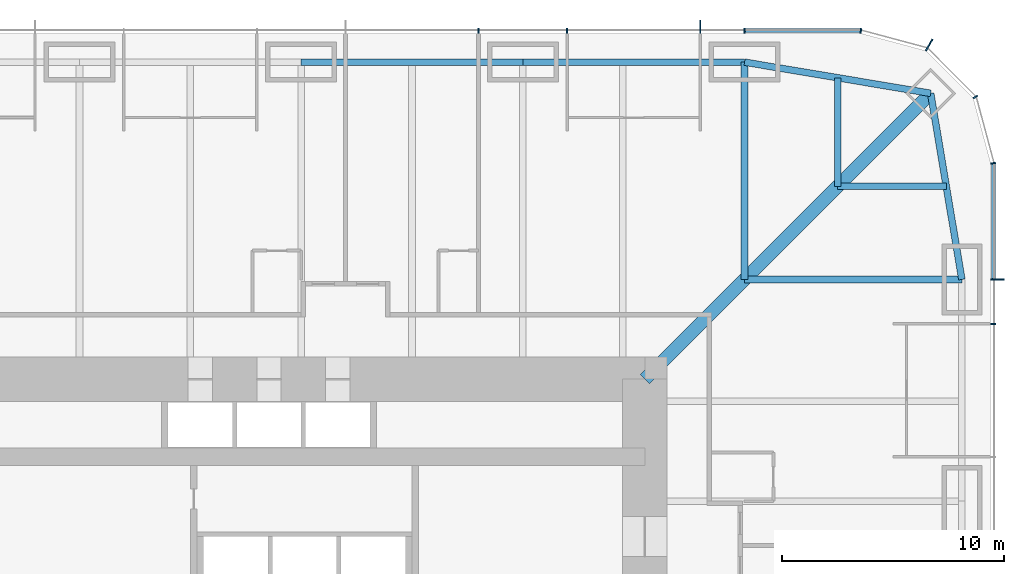
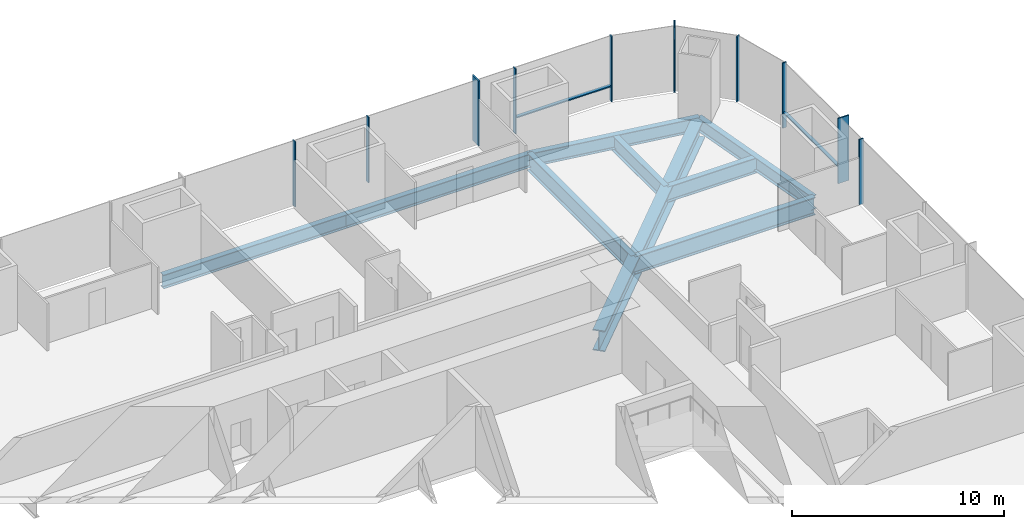
# One storey, part 9 of 16: 12 members, 9 beams, 3 elements without a shape of their own.
"""IFC4 building model written with IfcOpenShell, lengths in metres."""

from ifc_helpers import new_model, si_unit, direction, frame, origin, origin_2d, place, context, subcontext, project, spatial, rectangle, i_section, extrude, material, material_profile, profile_set, type_object, element, aggregate, save


model = new_model("IFC4")

# Units and contexts
model_context = context("Model", 3, precision=1e-05, world=origin(), true_north=direction((0.0, 1.0)))
body_context = subcontext(model_context, "Body", "Model", "MODEL_VIEW")
ifc_project = project(units=[si_unit("LENGTHUNIT", "METRE"), si_unit("AREAUNIT", "SQUARE_METRE"), si_unit("VOLUMEUNIT", "CUBIC_METRE"), si_unit("PLANEANGLEUNIT", "RADIAN"), si_unit("MASSUNIT", "GRAM", prefix="KILO")], contexts=[model_context])

# Site, building, storey
site_placement = place(None, origin())
site = spatial("IfcSite", under=ifc_project, at=site_placement, CompositionType="ELEMENT")
building_placement = place(site_placement, origin())
building = spatial("IfcBuilding", under=site, at=building_placement, Name="Khuree Lantern Residences", CompositionType="ELEMENT")
storey_placement = place(building_placement, frame((0.0, 0.0, 81.0)))
storey = spatial("IfcBuildingStorey", under=building, at=storey_placement, Name="L20", CompositionType="ELEMENT", Elevation=81.0)

# Beams
ifc_material_1 = material(Name="Steel S355", Category="steel")
ifc_material_profile_1 = material_profile(ifc_material_1, i_section(OverallWidth=0.300048828125, OverallDepth=0.889892578125, WebThickness=0.01611328125, FlangeThickness=0.030029296875, FilletRadius=0.030029296875, at=origin_2d()), Name="HE 900 A")
ifc_profile_set_1 = profile_set([ifc_material_profile_1], Name="Steel S355")
beam_type_1 = type_object("IfcBeamType", Name="B-14 SECONDARY BEAM HE 900 A", PredefinedType="BEAM", material=ifc_profile_set_1)
for number, where, z_axis, x_axis, name in (
    (1, (24.197021484375, 29.09716796875, -0.695068359375), (0.0, -1.0, 0.0), (1.0, 0.0, 0.0), "Secondary beam N5"),
    (2, (29.09716796875, 24.197021484375, -0.695068359375), (-1.0, 0.0, 0.0), (0.0, -1.0, 0.0), "Secondary beam E1"),
):
    element("IfcBeam", number, at=place(storey_placement, frame(where, z_axis=z_axis, x_axis=x_axis)), inside=storey, type_object=beam_type_1, Name=name, PredefinedType="BEAM", context=body_context, shape_type="SweptSolid", body=[
        extrude(i_section(OverallWidth=0.300048828125, OverallDepth=0.889892578125, WebThickness=0.01611328125, FlangeThickness=0.030029296875, FilletRadius=0.030029296875, at=origin_2d()), origin(), (0.0, 0.0, 1.0), 4.900146484375),
    ])
ifc_material_profile_2 = material_profile(ifc_material_1, i_section(OverallWidth=0.300048828125, OverallDepth=0.7900390625, WebThickness=0.014892578125, FlangeThickness=0.028076171875, FilletRadius=0.030029296875, at=origin_2d()), Name="HE 800 A")
ifc_profile_set_2 = profile_set([ifc_material_profile_2], Name="Steel S355")
beam_type_2 = type_object("IfcBeamType", Name="E-14 SPANDREL BEAM HE 800 A", PredefinedType="SPANDREL", material=ifc_profile_set_2)
for number, where, z_axis, x_axis, name in (
    (3, (0.0, 29.800048828125, -0.64501953125), (1.0, 0.0, 0.0), (0.0, 1.0, 0.0), "Spandrel beam N3"),
    (4, (10.0, 29.800048828125, -0.64501953125), (1.0, 0.0, 0.0), (0.0, 1.0, 0.0), "Spandrel beam N4"),
):
    element("IfcBeam", number, at=place(storey_placement, frame(where, z_axis=z_axis, x_axis=x_axis)), inside=storey, type_object=beam_type_2, Name=name, PredefinedType="SPANDREL", context=body_context, shape_type="SweptSolid", body=[
        extrude(i_section(OverallWidth=0.300048828125, OverallDepth=0.7900390625, WebThickness=0.014892578125, FlangeThickness=0.028076171875, FilletRadius=0.030029296875, at=origin_2d()), origin(), (0.0, 0.0, 1.0), 10.0),
    ])
for number, where, z_axis, x_axis, name in (
    (5, (20.0, 29.800048828125, -0.64501953125), (0.986260251158, -0.165199022349, 0.0), (0.165199022349, 0.986260251158, 0.0), "Spandrel beam N5"),
    (6, (28.39404296875, 28.39404296875, -0.64501953125), (0.165199022349, -0.986260251158, 0.0), (0.986260251158, 0.165199022349, 0.0), "Spandrel beam E1"),
):
    element("IfcBeam", number, at=place(storey_placement, frame(where, z_axis=z_axis, x_axis=x_axis)), inside=storey, type_object=beam_type_2, Name=name, PredefinedType="SPANDREL", context=body_context, shape_type="SweptSolid", body=[
        extrude(i_section(OverallWidth=0.300048828125, OverallDepth=0.7900390625, WebThickness=0.014892578125, FlangeThickness=0.028076171875, FilletRadius=0.030029296875, at=origin_2d()), origin(), (0.0, 0.0, 1.0), 8.510986328125),
    ])

# Curtain wall, member
ifc_material_2 = material(Name="Bronze anodised aluminium", Category="aluminium")
curtain_wall_type_1 = type_object("IfcCurtainWallType", Name="CW-T1 TOWER FACE CURTAIN WALL", PredefinedType="USERDEFINED", material=ifc_material_2)
curtain_wall_1_placement = place(storey_placement, origin())
curtain_wall_1 = element("IfcCurtainWall", 7, at=curtain_wall_1_placement, inside=storey, type_object=curtain_wall_type_1, Name="L20 EAST FACE CURTAIN WALL", ObjectType="Stick-built curtain wall", PredefinedType="USERDEFINED")
ifc_material_profile_3 = material_profile(ifc_material_2, rectangle(XDim=0.06494140625, YDim=0.60009765625, at=origin_2d()), Name="F1 65X600")
ifc_profile_set_3 = profile_set([ifc_material_profile_3], Name="Bronze anodised aluminium")
member_type_1 = type_object("IfcMemberType", Name="F1 BRONZE FIN MULLION TOWER 65X600", PredefinedType="MULLION", material=ifc_profile_set_3)
member_1_placement = place(storey_placement, frame((31.39990234375, 20.0, 0.0), z_axis=(0.0, 0.0, 1.0), x_axis=(0.0, 1.0, 0.0)))
member_1 = element("IfcMember", 8, at=member_1_placement, type_object=member_type_1, Name="L20 EAST FACE FIN MULLION 14", PredefinedType="MULLION", context=body_context, shape_type="SweptSolid", body=[
    extrude(rectangle(XDim=0.06494140625, YDim=0.60009765625, at=origin_2d()), origin(), (0.0, 0.0, 1.0), 3.75),
])

curtain_wall_type_2 = type_object("IfcCurtainWallType", Name="CW-T2 TOWER CORNER CURTAIN WALL", PredefinedType="USERDEFINED", material=ifc_material_2)
curtain_wall_2_placement = place(storey_placement, origin())
curtain_wall_2 = element("IfcCurtainWall", 9, at=curtain_wall_2_placement, inside=storey, type_object=curtain_wall_type_2, Name="L20 NORTH-EAST CORNER CURTAIN WALL", ObjectType="Faceted corner curtain wall", PredefinedType="USERDEFINED")
member_2_placement = place(storey_placement, frame((28.324951171875, 30.576171875, 0.0), z_axis=(0.0, 0.0, 1.0), x_axis=(-0.86602537092, 0.500000056923, 0.0)))
member_2 = element("IfcMember", 10, at=member_2_placement, type_object=member_type_1, Name="L20 NORTH-EAST CORNER FIN MULLION 17", PredefinedType="MULLION", context=body_context, shape_type="SweptSolid", body=[
    extrude(rectangle(XDim=0.06494140625, YDim=0.60009765625, at=origin_2d()), origin(), (0.0, 0.0, 1.0), 3.75),
])

curtain_wall_3_placement = place(storey_placement, origin())
curtain_wall_3 = element("IfcCurtainWall", 11, at=curtain_wall_3_placement, inside=storey, type_object=curtain_wall_type_1, Name="L20 NORTH FACE CURTAIN WALL", ObjectType="Stick-built curtain wall", PredefinedType="USERDEFINED")
member_3_placement = place(storey_placement, frame((18.0, 31.39990234375, 0.0), z_axis=(0.0, 0.0, 1.0), x_axis=(-1.0, 0.0, 0.0)))
member_3 = element("IfcMember", 12, at=member_3_placement, type_object=member_type_1, Name="L20 NORTH FACE FIN MULLION 20", PredefinedType="MULLION", context=body_context, shape_type="SweptSolid", body=[
    extrude(rectangle(XDim=0.06494140625, YDim=0.60009765625, at=origin_2d()), origin(), (0.0, 0.0, 1.0), 3.75),
])

# Beams
ifc_material_profile_4 = material_profile(ifc_material_1, i_section(OverallWidth=0.302001953125, OverallDepth=1.008056640625, WebThickness=0.02099609375, FlangeThickness=0.0400390625, FilletRadius=0.030029296875, at=origin_2d()), Name="HE 1000 M")
ifc_profile_set_4 = profile_set([ifc_material_profile_4], Name="Steel S355")
beam_type_3 = type_object("IfcBeamType", Name="G-14 GIRDER HE 1000 M", PredefinedType="BEAM", material=ifc_profile_set_4)
for number, where, z_axis, x_axis, name in (
    (13, (20.0, 29.800048828125, -0.75390625), (0.0, -1.0, 0.0), (1.0, 0.0, 0.0), "Girder N5"),
    (14, (29.800048828125, 20.0, -0.75390625), (-1.0, 0.0, 0.0), (0.0, -1.0, 0.0), "Girder E1"),
):
    element("IfcBeam", number, at=place(storey_placement, frame(where, z_axis=z_axis, x_axis=x_axis)), inside=storey, type_object=beam_type_3, Name=name, PredefinedType="BEAM", context=body_context, shape_type="SweptSolid", body=[
        extrude(i_section(OverallWidth=0.302001953125, OverallDepth=1.008056640625, WebThickness=0.02099609375, FlangeThickness=0.0400390625, FilletRadius=0.030029296875, at=origin_2d()), origin(), (0.0, 0.0, 1.0), 9.800048828125),
    ])
ifc_material_profile_5 = material_profile(ifc_material_1, i_section(OverallWidth=0.60009765625, OverallDepth=1.199951171875, WebThickness=0.030029296875, FlangeThickness=0.06005859375, at=origin_2d()), Name="WELDED I 1200X600X30X60")
ifc_profile_set_5 = profile_set([ifc_material_profile_5], Name="Steel S355")
beam_type_4 = type_object("IfcBeamType", Name="GD-14 CORNER GIRDER WELDED I 1200X600X30X60", PredefinedType="BEAM", material=ifc_profile_set_5)
beam_placement = place(storey_placement, frame((28.39404296875, 28.39404296875, -0.85009765625), z_axis=(-0.707106781187, -0.707106781187, 0.0), x_axis=(0.707106781187, -0.707106781187, 0.0)))
element("IfcBeam", 15, at=beam_placement, inside=storey, type_object=beam_type_4, Name="Corner girder NE", PredefinedType="BEAM", context=body_context, shape_type="SweptSolid", body=[
    extrude(i_section(OverallWidth=0.60009765625, OverallDepth=1.199951171875, WebThickness=0.030029296875, FlangeThickness=0.06005859375, at=origin_2d()), origin(), (0.0, 0.0, 1.0), 18.23486328125),
])

# Member
ifc_material_profile_6 = material_profile(ifc_material_2, rectangle(XDim=0.06494140625, YDim=0.219970703125, at=origin_2d()), Name="M1 65X220")
ifc_profile_set_6 = profile_set([ifc_material_profile_6], Name="Bronze anodised aluminium")
member_type_2 = type_object("IfcMemberType", Name="M1 BRONZE MULLION TOWER 65X220", PredefinedType="MULLION", material=ifc_profile_set_6)
member_4_placement = place(storey_placement, frame((31.2099609375, 18.0, 0.0), z_axis=(0.0, 0.0, 1.0), x_axis=(0.0, 1.0, 0.0)))
member_4 = element("IfcMember", 16, at=member_4_placement, type_object=member_type_2, Name="L20 EAST FACE MULLION 13", PredefinedType="MULLION", context=body_context, shape_type="SweptSolid", body=[
    extrude(rectangle(XDim=0.06494140625, YDim=0.219970703125, at=origin_2d()), origin(), (0.0, 0.0, 1.0), 3.75),
])

member_5_placement = place(storey_placement, frame((31.211669921875, 25.244873046875, 0.0), z_axis=(0.0, 0.0, 1.0), x_axis=(-0.130526257387, 0.991444852794, 0.0)))
member_5 = element("IfcMember", 17, at=member_5_placement, type_object=member_type_2, Name="L20 NORTH-EAST CORNER MULLION 15", PredefinedType="MULLION", context=body_context, shape_type="SweptSolid", body=[
    extrude(rectangle(XDim=0.06494140625, YDim=0.219970703125, at=origin_2d()), origin(), (0.0, 0.0, 1.0), 3.75),
])

member_6_placement = place(storey_placement, frame((30.41162109375, 28.22998046875, 0.0), z_axis=(0.0, 0.0, 1.0), x_axis=(-0.500000056923, 0.86602537092, 0.0)))
member_6 = element("IfcMember", 18, at=member_6_placement, type_object=member_type_2, Name="L20 NORTH-EAST CORNER MULLION 16", PredefinedType="MULLION", context=body_context, shape_type="SweptSolid", body=[
    extrude(rectangle(XDim=0.06494140625, YDim=0.219970703125, at=origin_2d()), origin(), (0.0, 0.0, 1.0), 3.75),
])

aggregate(curtain_wall_2, [member_5, member_6, member_2])

member_7_placement = place(storey_placement, frame((25.244873046875, 31.211669921875, 0.0), z_axis=(0.0, 0.0, 1.0), x_axis=(-0.991444852794, 0.130526257387, 0.0)))
member_7 = element("IfcMember", 19, at=member_7_placement, type_object=member_type_2, Name="L20 NORTH FACE MULLION 18", PredefinedType="MULLION", context=body_context, shape_type="SweptSolid", body=[
    extrude(rectangle(XDim=0.06494140625, YDim=0.219970703125, at=origin_2d()), origin(), (0.0, 0.0, 1.0), 3.75),
])

member_8_placement = place(storey_placement, frame((20.0, 31.2099609375, 0.0), z_axis=(0.0, 0.0, 1.0), x_axis=(-1.0, 0.0, 0.0)))
member_8 = element("IfcMember", 20, at=member_8_placement, type_object=member_type_2, Name="L20 NORTH FACE MULLION 19", PredefinedType="MULLION", context=body_context, shape_type="SweptSolid", body=[
    extrude(rectangle(XDim=0.06494140625, YDim=0.219970703125, at=origin_2d()), origin(), (0.0, 0.0, 1.0), 3.75),
])

member_9_placement = place(storey_placement, frame((12.0, 31.2099609375, 0.0), z_axis=(0.0, 0.0, 1.0), x_axis=(-1.0, 0.0, 0.0)))
member_9 = element("IfcMember", 21, at=member_9_placement, type_object=member_type_2, Name="L20 NORTH FACE MULLION 21", PredefinedType="MULLION", context=body_context, shape_type="SweptSolid", body=[
    extrude(rectangle(XDim=0.06494140625, YDim=0.219970703125, at=origin_2d()), origin(), (0.0, 0.0, 1.0), 3.75),
])

member_10_placement = place(storey_placement, frame((8.0, 31.2099609375, 0.0), z_axis=(0.0, 0.0, 1.0), x_axis=(-1.0, 0.0, 0.0)))
member_10 = element("IfcMember", 22, at=member_10_placement, type_object=member_type_2, Name="L20 NORTH FACE MULLION 22", PredefinedType="MULLION", context=body_context, shape_type="SweptSolid", body=[
    extrude(rectangle(XDim=0.06494140625, YDim=0.219970703125, at=origin_2d()), origin(), (0.0, 0.0, 1.0), 3.75),
])

ifc_material_profile_7 = material_profile(ifc_material_2, rectangle(XDim=0.179931640625, YDim=0.06494140625, at=origin_2d()), Name="T1 180X65")
ifc_profile_set_7 = profile_set([ifc_material_profile_7], Name="Bronze anodised aluminium")
member_type_3 = type_object("IfcMemberType", Name="TRANSOM T1 TOWER 180X65", PredefinedType="USERDEFINED", material=ifc_profile_set_7)
member_11_placement = place(storey_placement, frame((31.219970703125, 20.032470703125, 0.89990234375), z_axis=(0.0, 1.0, 0.0), x_axis=(-1.0, 0.0, 0.0)))
member_11 = element("IfcMember", 23, at=member_11_placement, type_object=member_type_3, Name="L20 EAST FACE TRANSOM 14.1", ObjectType="Transom", PredefinedType="USERDEFINED", context=body_context, shape_type="SweptSolid", body=[
    extrude(rectangle(XDim=0.179931640625, YDim=0.06494140625, at=origin_2d()), origin(), (0.0, 0.0, 1.0), 5.1689453125),
])

aggregate(curtain_wall_1, [member_4, member_1, member_11])

member_12_placement = place(storey_placement, frame((25.201416015625, 31.219970703125, 0.89990234375), z_axis=(-1.0, 0.0, 0.0), x_axis=(0.0, -1.0, 0.0)))
member_12 = element("IfcMember", 24, at=member_12_placement, type_object=member_type_3, Name="L20 NORTH FACE TRANSOM 18.1", ObjectType="Transom", PredefinedType="USERDEFINED", context=body_context, shape_type="SweptSolid", body=[
    extrude(rectangle(XDim=0.179931640625, YDim=0.06494140625, at=origin_2d()), origin(), (0.0, 0.0, 1.0), 5.1689453125),
])

aggregate(curtain_wall_3, [member_7, member_8, member_3, member_9, member_10, member_12])

save(model, "model.ifc")
